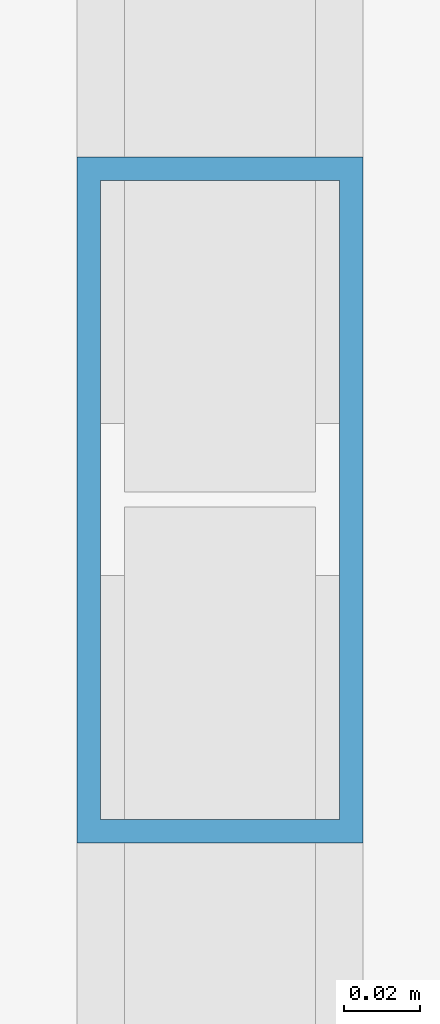
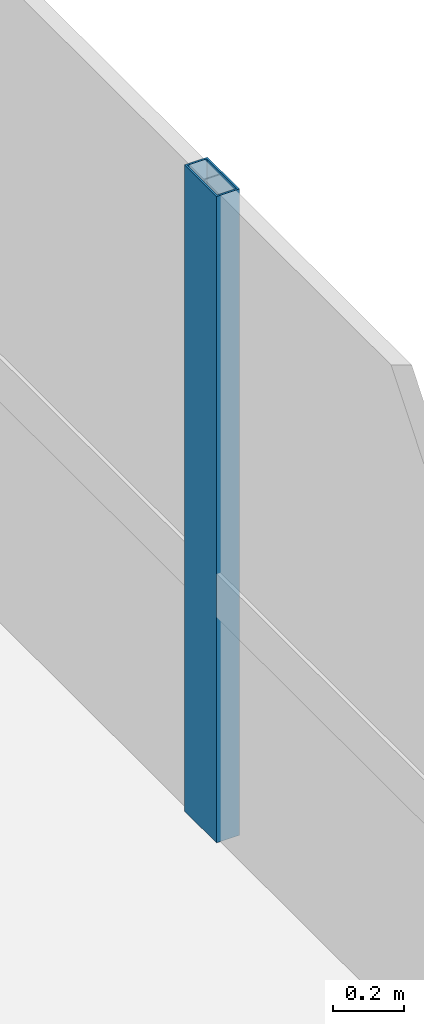
# One storey, part 19 of 42: 1 member, 1 element without a shape of its own.
"""IFC4 building model written with IfcOpenShell, lengths in metres."""

from ifc_helpers import new_model, si_unit, direction, frame, origin, origin_2d, place, context, subcontext, project, spatial, hollow_rectangle, extrude, material, material_profile, profile_set, type_object, element, aggregate, save


model = new_model("IFC4")

# Units and contexts
model_context = context("Model", 3, precision=1e-05, world=origin(), true_north=direction((0.0, 1.0)))
body_context = subcontext(model_context, "Body", "Model", "MODEL_VIEW")
ifc_project = project(units=[si_unit("LENGTHUNIT", "METRE"), si_unit("AREAUNIT", "SQUARE_METRE"), si_unit("VOLUMEUNIT", "CUBIC_METRE"), si_unit("PLANEANGLEUNIT", "RADIAN"), si_unit("MASSUNIT", "GRAM", prefix="KILO")], contexts=[model_context])

# Site, building, storey
site_placement = place(None, origin())
site = spatial("IfcSite", under=ifc_project, at=site_placement, CompositionType="ELEMENT")
building_placement = place(site_placement, origin())
building = spatial("IfcBuilding", under=site, at=building_placement, Name="Thornwick Lancets Civic Towers", CompositionType="ELEMENT")
storey_placement = place(building_placement, frame((0.0, 0.0, 284.10009765625)))
storey = spatial("IfcBuildingStorey", under=building, at=storey_placement, Name="C02", CompositionType="ELEMENT", Elevation=284.10009765625)

# Curtain wall, member
ifc_material_1 = material(Name="Crown ring acoustic-louvre and glazing screen wall", Category="glass")
curtain_wall_type = type_object("IfcCurtainWallType", Name="CW_SYS_07", PredefinedType="NOTDEFINED", material=ifc_material_1)
curtain_wall_placement = place(storey_placement, origin())
curtain_wall = element("IfcCurtainWall", 1, at=curtain_wall_placement, inside=storey, type_object=curtain_wall_type, Name="C02 Curtain Wall CW-C02-A-E2", PredefinedType="NOTDEFINED")
ifc_material_2 = material(Name="Thermally broken bronze aluminium S355", Category="steel")
ifc_material_profile = material_profile(ifc_material_2, hollow_rectangle(XDim=0.074951171875, YDim=0.179931640625, WallThickness=0.006103515625, at=origin_2d()), Name="RHS 180x75x6")
ifc_profile_set = profile_set([ifc_material_profile], Name="Thermally broken bronze aluminium S355")
member_type = type_object("IfcMemberType", Name="CW_MUL_180", PredefinedType="MULLION", material=ifc_profile_set)
member_placement = place(storey_placement, frame((49.2646484375, 30.03369140625, 0.0), z_axis=(0.0, 0.0, 1.0), x_axis=(1.0, 0.0, 0.0)))
member = element("IfcMember", 2, at=member_placement, type_object=member_type, Name="CW-C02-A-E2 Mullion 2", PredefinedType="MULLION", context=body_context, shape_type="SweptSolid", body=[
    extrude(hollow_rectangle(XDim=0.074951171875, YDim=0.179931640625, WallThickness=0.006103515625, at=origin_2d()), origin(), (0.0, 0.0, 1.0), 2.219970703125),
])
aggregate(curtain_wall, [member])

save(model, "model.ifc")
